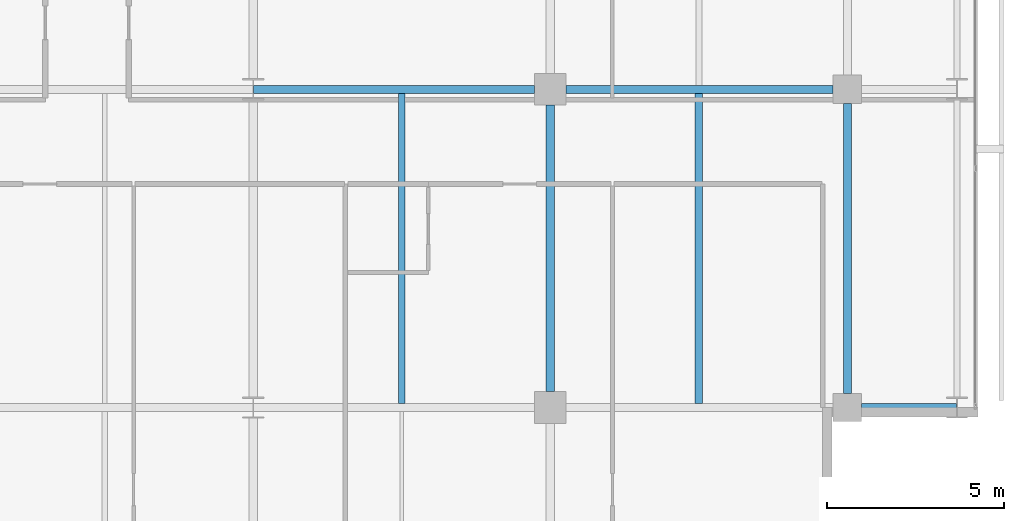
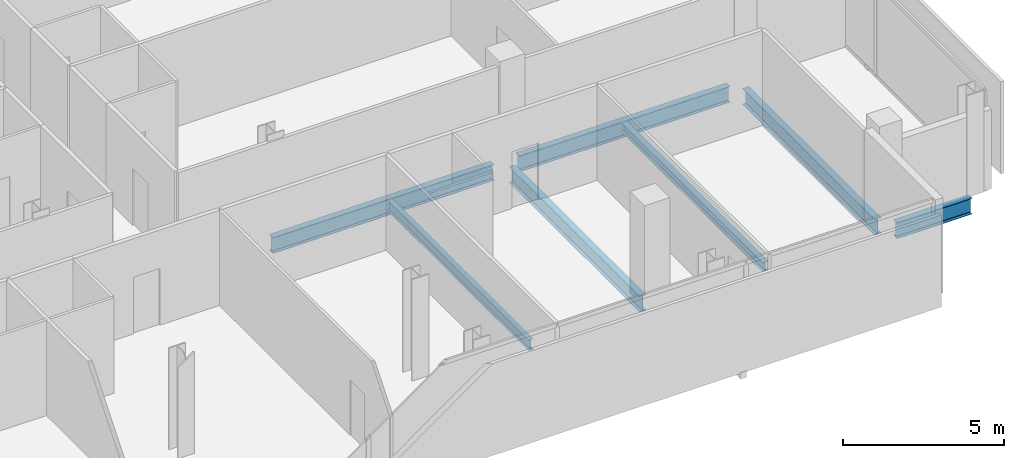
# One storey, part 14 of 32: 7 beams.
"""IFC4 building model written with IfcOpenShell, lengths in metres."""

from ifc_helpers import new_model, si_unit, direction, frame, origin, origin_2d, place, context, subcontext, project, spatial, i_section, extrude, material, material_profile, profile_set, type_object, element, save


model = new_model("IFC4")

# Units and contexts
model_context = context("Model", 3, precision=1e-05, world=origin(), true_north=direction((0.0, 1.0)))
body_context = subcontext(model_context, "Body", "Model", "MODEL_VIEW")
ifc_project = project(units=[si_unit("LENGTHUNIT", "METRE"), si_unit("AREAUNIT", "SQUARE_METRE"), si_unit("VOLUMEUNIT", "CUBIC_METRE"), si_unit("PLANEANGLEUNIT", "RADIAN"), si_unit("MASSUNIT", "GRAM", prefix="KILO")], contexts=[model_context])

# Site, building, storey
site_placement = place(None, origin())
site = spatial("IfcSite", under=ifc_project, at=site_placement, CompositionType="ELEMENT")
building_placement = place(site_placement, origin())
building = spatial("IfcBuilding", under=site, at=building_placement, Name="Maruvema Waterfront Hotel and Observation Tower", CompositionType="ELEMENT")
storey_placement = place(building_placement, frame((0.0, 0.0, 165.89990234375)))
storey = spatial("IfcBuildingStorey", under=building, at=storey_placement, Name="L40", CompositionType="ELEMENT", Elevation=165.89990234375)

# Beams
ifc_material_1 = material(Name="Steel ASTM A572 Grade 50", Category="steel")
ifc_material_profile_1 = material_profile(ifc_material_1, i_section(OverallWidth=0.22802734375, OverallDepth=0.60302734375, WebThickness=0.010498046875, FlangeThickness=0.014892578125, FilletRadius=0.01806640625, at=origin_2d()), Name="W610x101.0")
ifc_profile_set_1 = profile_set([ifc_material_profile_1], Name="Steel ASTM A572 Grade 50")
beam_type_1 = type_object("IfcBeamType", Name="Primary Floor Girder W610x101.0", PredefinedType="BEAM", material=ifc_profile_set_1)
beam_1_placement = place(storey_placement, frame((59.199951171875, 9.0, -0.54150390625), z_axis=(1.0, 0.0, 0.0), x_axis=(0.0, 1.0, 0.0)))
element("IfcBeam", 1, at=beam_1_placement, inside=storey, type_object=beam_type_1, Name="L40 Floor Girder EW-10", PredefinedType="BEAM", context=body_context, shape_type="SweptSolid", body=[
    extrude(i_section(OverallWidth=0.22802734375, OverallDepth=0.60302734375, WebThickness=0.010498046875, FlangeThickness=0.014892578125, FilletRadius=0.01806640625, at=origin_2d()), origin(), (0.0, 0.0, 1.0), 2.6875),
])
beam_2_placement = place(storey_placement, frame((42.012451171875, 18.0, -0.54150390625), z_axis=(1.0, 0.0, 0.0), x_axis=(0.0, 1.0, 0.0)))
element("IfcBeam", 2, at=beam_2_placement, inside=storey, type_object=beam_type_1, Name="L40 Floor Girder EW-15", PredefinedType="BEAM", context=body_context, shape_type="SweptSolid", body=[
    extrude(i_section(OverallWidth=0.22802734375, OverallDepth=0.60302734375, WebThickness=0.010498046875, FlangeThickness=0.014892578125, FilletRadius=0.01806640625, at=origin_2d()), origin(), (0.0, 0.0, 1.0), 7.9375),
])
beam_3_placement = place(storey_placement, frame((50.85009765625, 18.0, -0.54150390625), z_axis=(1.0, 0.0, 0.0), x_axis=(0.0, 1.0, 0.0)))
element("IfcBeam", 3, at=beam_3_placement, inside=storey, type_object=beam_type_1, Name="L40 Floor Girder EW-16", PredefinedType="BEAM", context=body_context, shape_type="SweptSolid", body=[
    extrude(i_section(OverallWidth=0.22802734375, OverallDepth=0.60302734375, WebThickness=0.010498046875, FlangeThickness=0.014892578125, FilletRadius=0.01806640625, at=origin_2d()), origin(), (0.0, 0.0, 1.0), 7.5498046875),
])
beam_4_placement = place(storey_placement, frame((50.39990234375, 9.449951171875, -0.54150390625), z_axis=(0.0, 1.0, 0.0), x_axis=(-1.0, 0.0, 0.0)))
element("IfcBeam", 4, at=beam_4_placement, inside=storey, type_object=beam_type_1, Name="L40 Floor Girder NS-21", PredefinedType="BEAM", context=body_context, shape_type="SweptSolid", body=[
    extrude(i_section(OverallWidth=0.22802734375, OverallDepth=0.60302734375, WebThickness=0.010498046875, FlangeThickness=0.014892578125, FilletRadius=0.01806640625, at=origin_2d()), origin(), (0.0, 0.0, 1.0), 8.10009765625),
])
beam_5_placement = place(storey_placement, frame((58.800048828125, 9.39990234375, -0.54150390625), z_axis=(0.0, 1.0, 0.0), x_axis=(-1.0, 0.0, 0.0)))
element("IfcBeam", 5, at=beam_5_placement, inside=storey, type_object=beam_type_1, Name="L40 Floor Girder NS-25", PredefinedType="BEAM", context=body_context, shape_type="SweptSolid", body=[
    extrude(i_section(OverallWidth=0.22802734375, OverallDepth=0.60302734375, WebThickness=0.010498046875, FlangeThickness=0.014892578125, FilletRadius=0.01806640625, at=origin_2d()), origin(), (0.0, 0.0, 1.0), 8.2001953125),
])
ifc_material_2 = material(Name="Steel ASTM A572 Grade 50", Category="steel")
ifc_material_profile_2 = material_profile(ifc_material_2, i_section(OverallWidth=0.202880859375, OverallDepth=0.346923828125, WebThickness=0.0078125, FlangeThickness=0.013427734375, FilletRadius=0.014892578125, at=origin_2d()), Name="W360x64.0")
ifc_profile_set_2 = profile_set([ifc_material_profile_2], Name="Steel ASTM A572 Grade 50")
beam_type_2 = type_object("IfcBeamType", Name="Secondary Floor Joist W360x64.0", PredefinedType="JOIST", material=ifc_profile_set_2)
beam_6_placement = place(storey_placement, frame((54.60009765625, 9.114013671875, -0.413330078125), z_axis=(0.0, 1.0, 0.0), x_axis=(-1.0, 0.0, 0.0)))
element("IfcBeam", 6, at=beam_6_placement, inside=storey, type_object=beam_type_2, Name="L40 Secondary Floor Joist JS-11", PredefinedType="JOIST", context=body_context, shape_type="SweptSolid", body=[
    extrude(i_section(OverallWidth=0.202880859375, OverallDepth=0.346923828125, WebThickness=0.0078125, FlangeThickness=0.013427734375, FilletRadius=0.014892578125, at=origin_2d()), origin(), (0.0, 0.0, 1.0), 8.77197265625),
])
ifc_material_3 = material(Name="Steel ASTM A572 Grade 50", Category="steel")
ifc_material_profile_3 = material_profile(ifc_material_3, i_section(OverallWidth=0.177001953125, OverallDepth=0.403076171875, WebThickness=0.007568359375, FlangeThickness=0.010986328125, FilletRadius=0.014892578125, at=origin_2d()), Name="W410x53.0")
ifc_profile_set_3 = profile_set([ifc_material_profile_3], Name="Steel ASTM A572 Grade 50")
beam_type_3 = type_object("IfcBeamType", Name="Secondary Floor Joist W410x53.0", PredefinedType="JOIST", material=ifc_profile_set_3)
beam_7_placement = place(storey_placement, frame((46.199951171875, 9.114013671875, -0.44140625), z_axis=(0.0, 1.0, 0.0), x_axis=(-1.0, 0.0, 0.0)))
element("IfcBeam", 7, at=beam_7_placement, inside=storey, type_object=beam_type_3, Name="L40 Secondary Floor Joist JS-10", PredefinedType="JOIST", context=body_context, shape_type="SweptSolid", body=[
    extrude(i_section(OverallWidth=0.177001953125, OverallDepth=0.403076171875, WebThickness=0.007568359375, FlangeThickness=0.010986328125, FilletRadius=0.014892578125, at=origin_2d()), origin(), (0.0, 0.0, 1.0), 8.77197265625),
])

save(model, "model.ifc")
